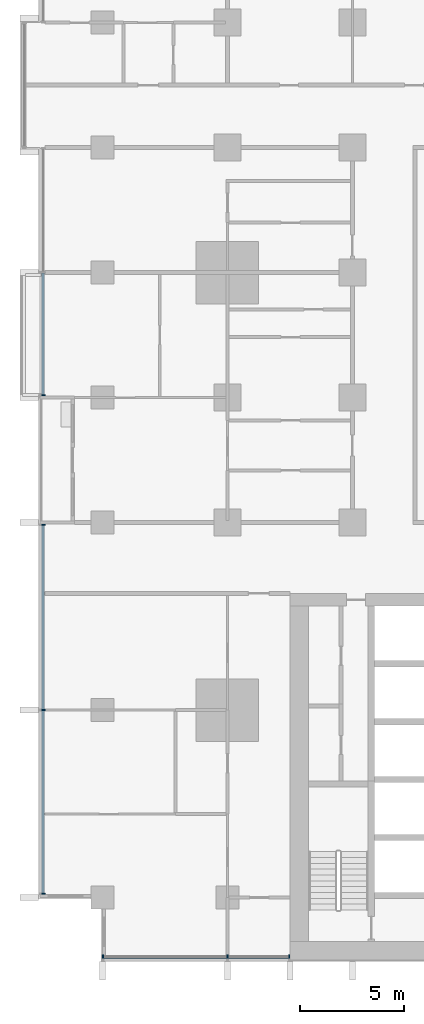
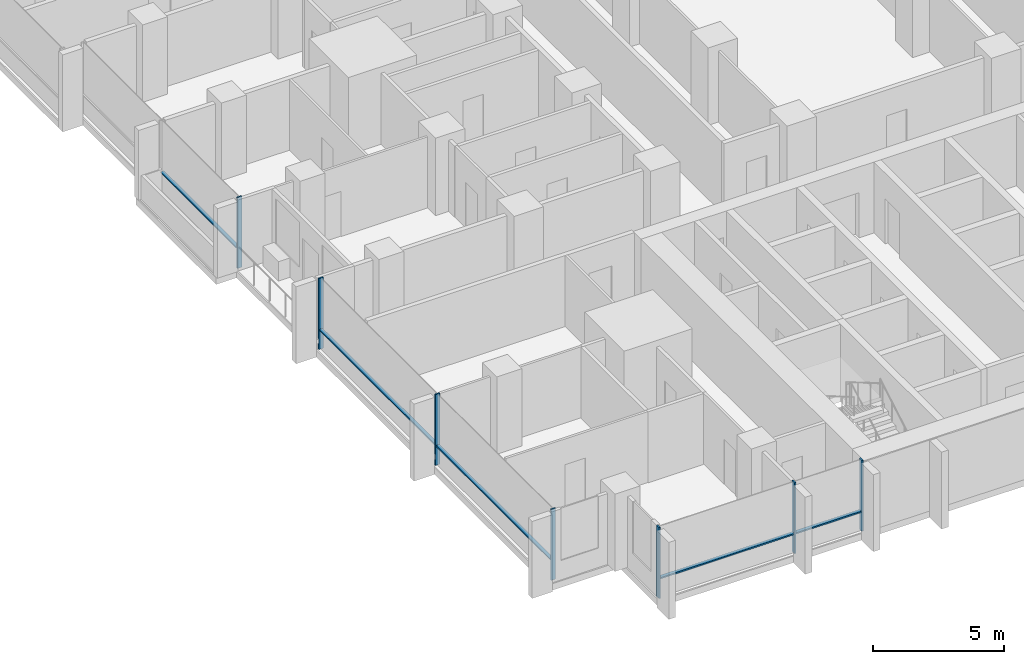
# One storey, part 2 of 18: 12 members, 3 elements without a shape of their own.
"""IFC4 building model written with IfcOpenShell, lengths in metres."""

from ifc_helpers import new_model, si_unit, direction, frame, origin, origin_2d, place, context, subcontext, project, spatial, rectangle, extrude, material, material_profile, profile_set, type_object, element, aggregate, save


model = new_model("IFC4")

# Units and contexts
model_context = context("Model", 3, precision=1e-05, world=origin(), true_north=direction((0.0, 1.0)))
body_context = subcontext(model_context, "Body", "Model", "MODEL_VIEW")
ifc_project = project(units=[si_unit("LENGTHUNIT", "METRE"), si_unit("AREAUNIT", "SQUARE_METRE"), si_unit("VOLUMEUNIT", "CUBIC_METRE"), si_unit("PLANEANGLEUNIT", "RADIAN"), si_unit("MASSUNIT", "GRAM", prefix="KILO")], contexts=[model_context])

# Site, building, storey
site_placement = place(None, origin())
site = spatial("IfcSite", under=ifc_project, at=site_placement, CompositionType="ELEMENT")
building_placement = place(site_placement, origin())
building = spatial("IfcBuilding", under=site, at=building_placement, Name="Finial Court Residences", CompositionType="ELEMENT")
storey_placement = place(building_placement, frame((0.0, 0.0, 36.10009765625)))
storey = spatial("IfcBuildingStorey", under=building, at=storey_placement, Name="L07", CompositionType="ELEMENT", Elevation=36.10009765625)

# Curtain wall, members
ifc_material = material(Name="Bronze anodised aluminium", Category="aluminium")
curtain_wall_type = type_object("IfcCurtainWallType", Name="Unitised curtain wall, lower and middle zones", PredefinedType="NOTDEFINED", material=ifc_material)
curtain_wall_1_placement = place(storey_placement, origin())
curtain_wall_1 = element("IfcCurtainWall", 1, at=curtain_wall_1_placement, inside=storey, type_object=curtain_wall_type, Name="E-L07-CW-S8", PredefinedType="NOTDEFINED")
ifc_material_profile_1 = material_profile(ifc_material, rectangle(XDim=0.199951171875, YDim=0.06494140625, at=origin_2d()), Name="CW1 mullion 65 x 200")
ifc_profile_set_1 = profile_set([ifc_material_profile_1], Name="Bronze anodised aluminium")
member_type_1 = type_object("IfcMemberType", Name="CW1 mullion 65 x 200", PredefinedType="MULLION", material=ifc_profile_set_1)
member_1_placement = place(storey_placement, frame((-22.467529296875, -25.35009765625, 0.0), z_axis=(0.0, 0.0, 1.0), x_axis=(0.0, 1.0, 0.0)))
member_1 = element("IfcMember", 2, at=member_1_placement, type_object=member_type_1, Name="CW1 mullion 1", PredefinedType="MULLION", context=body_context, shape_type="SweptSolid", body=[
    extrude(rectangle(XDim=0.199951171875, YDim=0.06494140625, at=origin_2d()), origin(), (0.0, 0.0, 1.0), 3.2998046875),
])
member_2_placement = place(storey_placement, frame((-16.5, -25.35009765625, 0.0), z_axis=(0.0, 0.0, 1.0), x_axis=(0.0, 1.0, 0.0)))
member_2 = element("IfcMember", 3, at=member_2_placement, type_object=member_type_1, Name="CW1 mullion 2", PredefinedType="MULLION", context=body_context, shape_type="SweptSolid", body=[
    extrude(rectangle(XDim=0.199951171875, YDim=0.06494140625, at=origin_2d()), origin(), (0.0, 0.0, 1.0), 3.2998046875),
])
member_3_placement = place(storey_placement, frame((-13.532470703125, -25.35009765625, 0.0), z_axis=(0.0, 0.0, 1.0), x_axis=(0.0, 1.0, 0.0)))
member_3 = element("IfcMember", 4, at=member_3_placement, type_object=member_type_1, Name="CW1 mullion 3", PredefinedType="MULLION", context=body_context, shape_type="SweptSolid", body=[
    extrude(rectangle(XDim=0.199951171875, YDim=0.06494140625, at=origin_2d()), origin(), (0.0, 0.0, 1.0), 3.2998046875),
])

curtain_wall_2_placement = place(storey_placement, origin())
curtain_wall_2 = element("IfcCurtainWall", 5, at=curtain_wall_2_placement, inside=storey, type_object=curtain_wall_type, Name="E-L07-CW-W10", PredefinedType="NOTDEFINED")
member_4_placement = place(storey_placement, frame((-25.35009765625, -22.3173828125, 0.0), z_axis=(0.0, 0.0, 1.0), x_axis=(-1.0, 0.0, 0.0)))
member_4 = element("IfcMember", 6, at=member_4_placement, type_object=member_type_1, Name="CW1 mullion 1", PredefinedType="MULLION", context=body_context, shape_type="SweptSolid", body=[
    extrude(rectangle(XDim=0.199951171875, YDim=0.06494140625, at=origin_2d()), origin(), (0.0, 0.0, 1.0), 3.2998046875),
])
member_5_placement = place(storey_placement, frame((-25.35009765625, -13.5, 0.0), z_axis=(0.0, 0.0, 1.0), x_axis=(-1.0, 0.0, 0.0)))
member_5 = element("IfcMember", 7, at=member_5_placement, type_object=member_type_1, Name="CW1 mullion 2", PredefinedType="MULLION", context=body_context, shape_type="SweptSolid", body=[
    extrude(rectangle(XDim=0.199951171875, YDim=0.06494140625, at=origin_2d()), origin(), (0.0, 0.0, 1.0), 3.2998046875),
])
member_6_placement = place(storey_placement, frame((-25.35009765625, -4.607421875, 0.0), z_axis=(0.0, 0.0, 1.0), x_axis=(-1.0, 0.0, 0.0)))
member_6 = element("IfcMember", 8, at=member_6_placement, type_object=member_type_1, Name="CW1 mullion 3", PredefinedType="MULLION", context=body_context, shape_type="SweptSolid", body=[
    extrude(rectangle(XDim=0.199951171875, YDim=0.06494140625, at=origin_2d()), origin(), (0.0, 0.0, 1.0), 3.2998046875),
])

# Curtain wall, member
curtain_wall_3_placement = place(storey_placement, origin())
curtain_wall_3 = element("IfcCurtainWall", 9, at=curtain_wall_3_placement, inside=storey, type_object=curtain_wall_type, Name="E-L07-CW-W11", PredefinedType="NOTDEFINED")
member_7_placement = place(storey_placement, frame((-25.35009765625, 1.607421875, 0.0), z_axis=(0.0, 0.0, 1.0), x_axis=(-1.0, 0.0, 0.0)))
member_7 = element("IfcMember", 10, at=member_7_placement, type_object=member_type_1, Name="CW1 mullion 1", PredefinedType="MULLION", context=body_context, shape_type="SweptSolid", body=[
    extrude(rectangle(XDim=0.199951171875, YDim=0.06494140625, at=origin_2d()), origin(), (0.0, 0.0, 1.0), 3.2998046875),
])

# Member
ifc_material_profile_2 = material_profile(ifc_material, rectangle(XDim=0.14990234375, YDim=0.06494140625, at=origin_2d()), Name="CW1 transom 65 x 150")
ifc_profile_set_2 = profile_set([ifc_material_profile_2], Name="Bronze anodised aluminium")
member_type_2 = type_object("IfcMemberType", Name="CW1 transom 65 x 150", PredefinedType="USERDEFINED", material=ifc_profile_set_2)
member_8_placement = place(storey_placement, frame((-22.43505859375, -25.35009765625, 0.89990234375), z_axis=(1.0, 0.0, 0.0), x_axis=(0.0, 1.0, 0.0)))
member_8 = element("IfcMember", 11, at=member_8_placement, type_object=member_type_2, Name="CW1 transom 1.1", ObjectType="TRANSOM", PredefinedType="USERDEFINED", context=body_context, shape_type="SweptSolid", body=[
    extrude(rectangle(XDim=0.14990234375, YDim=0.06494140625, at=origin_2d()), origin(), (0.0, 0.0, 1.0), 5.902587890625),
])

member_9_placement = place(storey_placement, frame((-16.467529296875, -25.35009765625, 0.89990234375), z_axis=(1.0, 0.0, 0.0), x_axis=(0.0, 1.0, 0.0)))
member_9 = element("IfcMember", 12, at=member_9_placement, type_object=member_type_2, Name="CW1 transom 2.1", ObjectType="TRANSOM", PredefinedType="USERDEFINED", context=body_context, shape_type="SweptSolid", body=[
    extrude(rectangle(XDim=0.14990234375, YDim=0.06494140625, at=origin_2d()), origin(), (0.0, 0.0, 1.0), 2.902587890625),
])

aggregate(curtain_wall_1, [member_1, member_2, member_3, member_8, member_9])

member_10_placement = place(storey_placement, frame((-25.35009765625, -22.284912109375, 0.89990234375), z_axis=(0.0, 1.0, 0.0), x_axis=(-1.0, 0.0, 0.0)))
member_10 = element("IfcMember", 13, at=member_10_placement, type_object=member_type_2, Name="CW1 transom 1.1", ObjectType="TRANSOM", PredefinedType="USERDEFINED", context=body_context, shape_type="SweptSolid", body=[
    extrude(rectangle(XDim=0.14990234375, YDim=0.06494140625, at=origin_2d()), origin(), (0.0, 0.0, 1.0), 8.75244140625),
])

member_11_placement = place(storey_placement, frame((-25.35009765625, -13.467529296875, 0.89990234375), z_axis=(0.0, 1.0, 0.0), x_axis=(-1.0, 0.0, 0.0)))
member_11 = element("IfcMember", 14, at=member_11_placement, type_object=member_type_2, Name="CW1 transom 2.1", ObjectType="TRANSOM", PredefinedType="USERDEFINED", context=body_context, shape_type="SweptSolid", body=[
    extrude(rectangle(XDim=0.14990234375, YDim=0.06494140625, at=origin_2d()), origin(), (0.0, 0.0, 1.0), 8.82763671875),
])

aggregate(curtain_wall_2, [member_4, member_5, member_6, member_10, member_11])

member_12_placement = place(storey_placement, frame((-25.35009765625, 1.639892578125, 0.89990234375), z_axis=(0.0, 1.0, 0.0), x_axis=(-1.0, 0.0, 0.0)))
member_12 = element("IfcMember", 15, at=member_12_placement, type_object=member_type_2, Name="CW1 transom 1.1", ObjectType="TRANSOM", PredefinedType="USERDEFINED", context=body_context, shape_type="SweptSolid", body=[
    extrude(rectangle(XDim=0.14990234375, YDim=0.06494140625, at=origin_2d()), origin(), (0.0, 0.0, 1.0), 5.82763671875),
])

aggregate(curtain_wall_3, [member_7, member_12])

save(model, "model.ifc")
